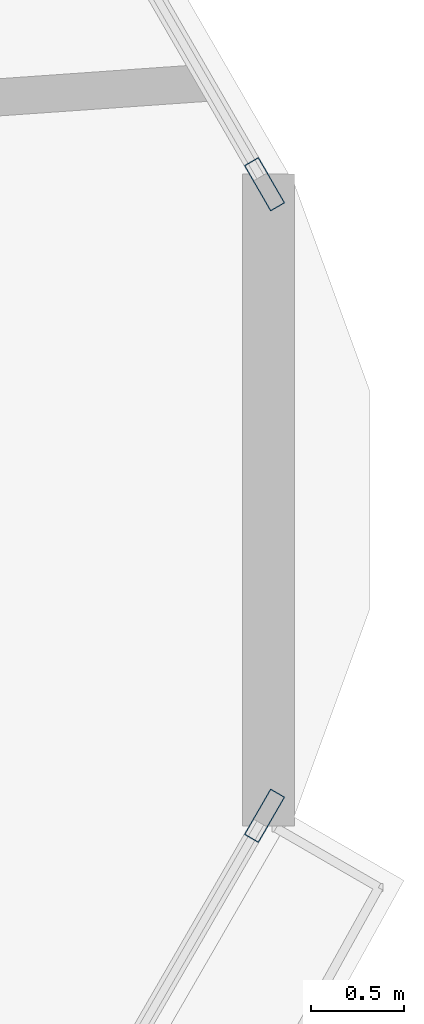
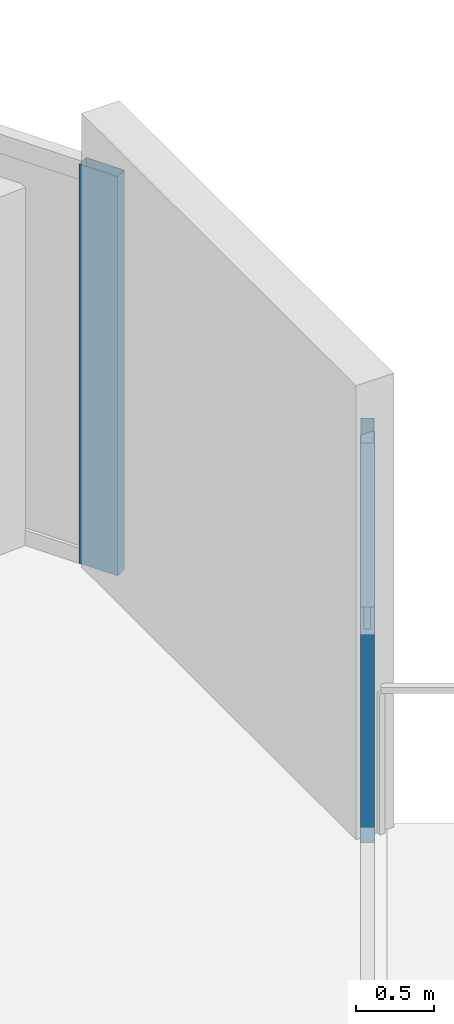
# One storey, part 22 of 33: 2 members, 2 elements without a shape of their own.
"""IFC4 building model written with IfcOpenShell, lengths in metres."""

from ifc_helpers import new_model, si_unit, direction, frame, origin, origin_2d, place, context, subcontext, project, spatial, hollow_rectangle, extrude, material, material_profile, profile_set, type_object, element, aggregate, save


model = new_model("IFC4")

# Units and contexts
model_context = context("Model", 3, precision=1e-05, world=origin(), true_north=direction((0.0, 1.0)))
body_context = subcontext(model_context, "Body", "Model", "MODEL_VIEW")
ifc_project = project(units=[si_unit("LENGTHUNIT", "METRE"), si_unit("AREAUNIT", "SQUARE_METRE"), si_unit("VOLUMEUNIT", "CUBIC_METRE"), si_unit("PLANEANGLEUNIT", "RADIAN"), si_unit("MASSUNIT", "GRAM", prefix="KILO")], contexts=[model_context])

# Site, building, storey
site_placement = place(None, origin())
site = spatial("IfcSite", under=ifc_project, at=site_placement, CompositionType="ELEMENT")
building_placement = place(site_placement, origin())
building = spatial("IfcBuilding", under=site, at=building_placement, Name="Zuhravey Tower", CompositionType="ELEMENT")
storey_placement = place(building_placement, frame((0.0, 0.0, 96.199951171875)))
storey = spatial("IfcBuildingStorey", under=building, at=storey_placement, Name="L23", CompositionType="ELEMENT", Elevation=96.199951171875)

# Curtain wall, member
ifc_material_1 = material(Name="Thermally broken anodised aluminium", Category="aluminium")
curtain_wall_type = type_object("IfcCurtainWallType", Name="Zone 1-2 Residential Curtain Wall CW3", PredefinedType="NOTDEFINED", material=ifc_material_1)
curtain_wall_1_placement = place(storey_placement, origin())
curtain_wall_1 = element("IfcCurtainWall", 1, at=curtain_wall_1_placement, inside=storey, type_object=curtain_wall_type, Name="L23 CW3 CW-L23-F6-1", PredefinedType="NOTDEFINED")
ifc_material_2 = material(Name="Anodised aluminium", Category="aluminium")
ifc_material_profile = material_profile(ifc_material_2, hollow_rectangle(XDim=0.090087890625, YDim=0.284912109375, WallThickness=0.0048828125, at=origin_2d()), Name="ALU-RHS-90x285x5")
ifc_profile_set = profile_set([ifc_material_profile], Name="Anodised aluminium")
member_type = type_object("IfcMemberType", Name="Curtain-Wall Mullion 90x180", PredefinedType="MULLION", material=ifc_profile_set)
member_1_placement = place(storey_placement, frame((68.4560546875, 30.298583984375, 0.0), z_axis=(0.0, 0.0, 1.0), x_axis=(0.866025304676, -0.500000171661, 0.0)))
member_1 = element("IfcMember", 2, at=member_1_placement, type_object=member_type, Name="CW3 mullion 1", PredefinedType="MULLION", context=body_context, shape_type="SweptSolid", body=[
    extrude(hollow_rectangle(XDim=0.090087890625, YDim=0.284912109375, WallThickness=0.0048828125, at=origin_2d()), origin(), (0.0, 0.0, 1.0), 3.1220703125),
])
aggregate(curtain_wall_1, [member_1])

curtain_wall_2_placement = place(storey_placement, origin())
curtain_wall_2 = element("IfcCurtainWall", 3, at=curtain_wall_2_placement, inside=storey, type_object=curtain_wall_type, Name="L23 CW3 CW-L23-F1-1", PredefinedType="NOTDEFINED")
member_2_placement = place(storey_placement, frame((68.4560546875, 33.701416015625, 0.0), z_axis=(0.0, 0.0, 1.0), x_axis=(0.86602552265, 0.499999794119, 0.0)))
member_2 = element("IfcMember", 4, at=member_2_placement, type_object=member_type, Name="CW3 mullion 6", PredefinedType="MULLION", context=body_context, shape_type="SweptSolid", body=[
    extrude(hollow_rectangle(XDim=0.090087890625, YDim=0.284912109375, WallThickness=0.0048828125, at=origin_2d()), origin(), (0.0, 0.0, 1.0), 3.1220703125),
])
aggregate(curtain_wall_2, [member_2])

save(model, "model.ifc")
